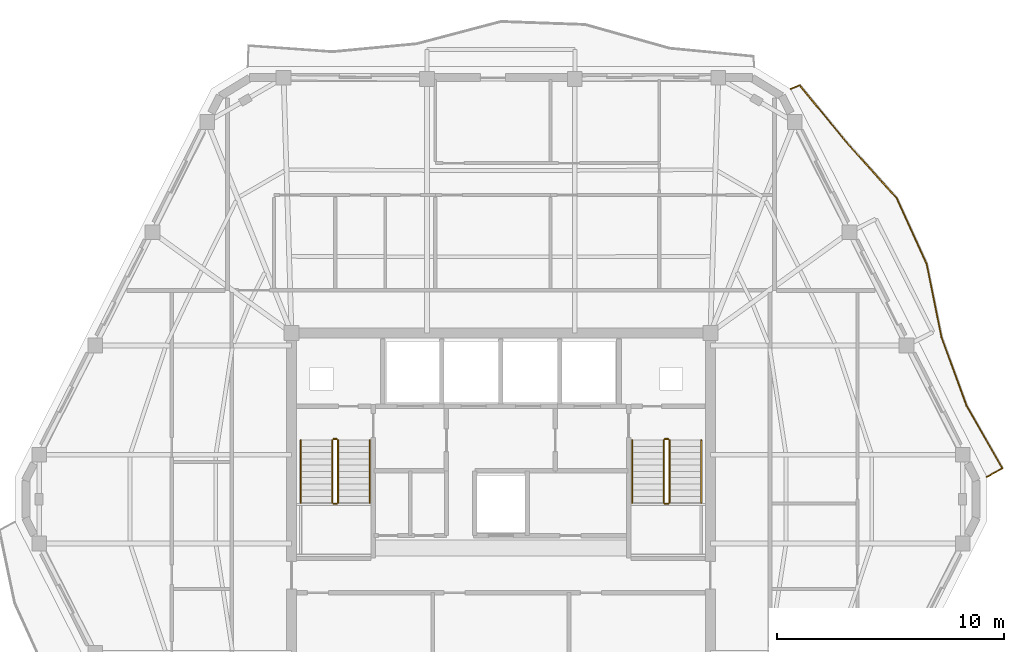
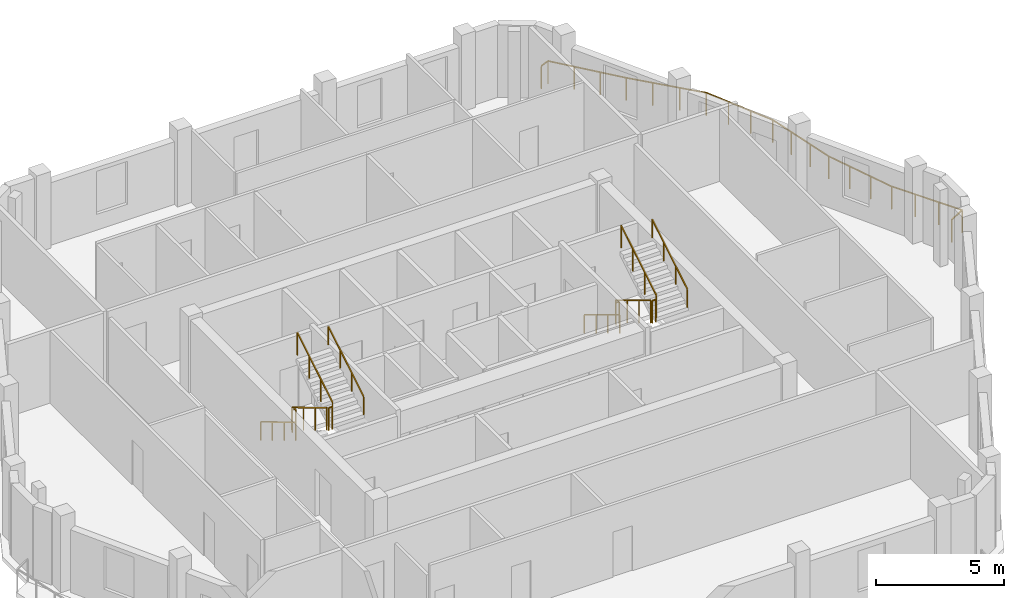
# One storey, part 9 of 10: 13 railings.
"""IFC4 building model written with IfcOpenShell, lengths in metres."""

from ifc_helpers import new_model, si_unit, direction, frame, origin, origin_2d, place, context, subcontext, project, spatial, rectangle, extrude, material, type_object, element, save


model = new_model("IFC4")

# Units and contexts
model_context = context("Model", 3, precision=1e-05, world=origin(), true_north=direction((0.0, 1.0)))
body_context = subcontext(model_context, "Body", "Model", "MODEL_VIEW")
ifc_project = project(units=[si_unit("LENGTHUNIT", "METRE"), si_unit("AREAUNIT", "SQUARE_METRE"), si_unit("VOLUMEUNIT", "CUBIC_METRE"), si_unit("PLANEANGLEUNIT", "RADIAN"), si_unit("MASSUNIT", "GRAM", prefix="KILO")], contexts=[model_context])

# Site, building, storey
site_placement = place(None, origin())
site = spatial("IfcSite", under=ifc_project, at=site_placement, CompositionType="ELEMENT")
building_placement = place(site_placement, origin())
building = spatial("IfcBuilding", under=site, at=building_placement, Name="Cinnabar Lancet Tower", CompositionType="ELEMENT")
storey_placement = place(building_placement, frame((0.0, 0.0, 263.5)))
storey = spatial("IfcBuildingStorey", under=building, at=storey_placement, Name="L70", CompositionType="ELEMENT", Elevation=263.5)

# Railings
ifc_material_1 = material(Name="Laminated safety glass and bronze stainless steel balustrade", Category="steel")
railing_type_1 = type_object("IfcRailingType", Name="ENV-RLG-BAL-1100", PredefinedType="BALUSTRADE", material=ifc_material_1)
railing_1_placement = place(storey_placement, frame((53.802978515625, 26.781982421875, 0.0)))
element("IfcRailing", 1, at=railing_1_placement, inside=storey, type_object=railing_type_1, Name="L70 Face 3 Wave Balcony Balustrade", PredefinedType="BALUSTRADE", context=body_context, shape_type="SweptSolid", body=[
    extrude(rectangle(XDim=0.048095703125, YDim=0.048095703125, at=origin_2d()), frame((0.0, 0.0, 1.076171875), z_axis=(0.875595888351, 0.483044346104, 0.0), x_axis=(-0.483044346104, 0.875595888351, 0.0)), (0.0, 0.0, 1.0), 0.782470703125),
    extrude(rectangle(XDim=0.048095703125, YDim=0.048095703125, at=origin_2d()), frame((0.68505859375, 0.3779296875, 1.076171875), z_axis=(-0.49683193542, 0.867846776768, 0.0), x_axis=(-0.867846776768, -0.49683193542, 0.0)), (0.0, 0.0, 1.0), 3.186279296875),
    extrude(rectangle(XDim=0.048095703125, YDim=0.048095703125, at=origin_2d()), frame((-0.89794921875, 3.14306640625, 1.076171875), z_axis=(-0.343737278906, 0.939065856631, 0.0), x_axis=(-0.939065856631, -0.343737278906, 0.0)), (0.0, 0.0, 1.0), 3.203125),
    extrude(rectangle(XDim=0.048095703125, YDim=0.048095703125, at=origin_2d()), frame((-1.9990234375, 6.151123046875, 1.076171875), z_axis=(-0.198293480616, 0.980142691421, 0.0), x_axis=(-0.980142691421, -0.198293480616, 0.0)), (0.0, 0.0, 1.0), 3.29833984375),
    extrude(rectangle(XDim=0.048095703125, YDim=0.048095703125, at=origin_2d()), frame((-2.653076171875, 9.384033203125, 1.076171875), z_axis=(-0.415275793861, 0.909695561731, 0.0), x_axis=(-0.909695561731, -0.415275793861, 0.0)), (0.0, 0.0, 1.0), 3.18359375),
    extrude(rectangle(XDim=0.048095703125, YDim=0.048095703125, at=origin_2d()), frame((-3.97509765625, 12.280029296875, 1.076171875), z_axis=(-0.668469318488, 0.743739719418, 0.0), x_axis=(-0.743739719418, -0.668469318488, 0.0)), (0.0, 0.0, 1.0), 3.29541015625),
    extrude(rectangle(XDim=0.048095703125, YDim=0.048095703125, at=origin_2d()), frame((-6.177978515625, 14.73095703125, 1.076171875), z_axis=(-0.634717063609, 0.772744620922, 0.0), x_axis=(-0.772744620922, -0.634717063609, 0.0)), (0.0, 0.0, 1.0), 3.259765625),
    extrude(rectangle(XDim=0.048095703125, YDim=0.048095703125, at=origin_2d()), frame((-8.2470703125, 17.25, 1.076171875), z_axis=(-0.923515379999, -0.383561393918, 0.0), x_axis=(0.383561393918, -0.923515379999, 0.0)), (0.0, 0.0, 1.0), 0.427734375),
    extrude(rectangle(XDim=0.0419921875, YDim=0.0419921875, at=origin_2d()), origin(), (0.0, 0.0, 1.0), 1.052001953125),
    extrude(rectangle(XDim=0.0419921875, YDim=0.0419921875, at=origin_2d()), frame((0.68505859375, 0.3779296875, 0.0)), (0.0, 0.0, 1.0), 1.052001953125),
    extrude(rectangle(XDim=0.0419921875, YDim=0.0419921875, at=origin_2d()), frame((0.157470703125, 1.299560546875, 0.0)), (0.0, 0.0, 1.0), 1.052001953125),
    extrude(rectangle(XDim=0.0419921875, YDim=0.0419921875, at=origin_2d()), frame((-0.370361328125, 2.221435546875, 0.0)), (0.0, 0.0, 1.0), 1.052001953125),
    extrude(rectangle(XDim=0.0419921875, YDim=0.0419921875, at=origin_2d()), frame((-0.89794921875, 3.14306640625, 0.0)), (0.0, 0.0, 1.0), 1.052001953125),
    extrude(rectangle(XDim=0.0419921875, YDim=0.0419921875, at=origin_2d()), frame((-1.264892578125, 4.145751953125, 0.0)), (0.0, 0.0, 1.0), 1.052001953125),
    extrude(rectangle(XDim=0.0419921875, YDim=0.0419921875, at=origin_2d()), frame((-1.632080078125, 5.1484375, 0.0)), (0.0, 0.0, 1.0), 1.052001953125),
    extrude(rectangle(XDim=0.0419921875, YDim=0.0419921875, at=origin_2d()), frame((-1.9990234375, 6.151123046875, 0.0)), (0.0, 0.0, 1.0), 1.052001953125),
    extrude(rectangle(XDim=0.0419921875, YDim=0.0419921875, at=origin_2d()), frame((-2.217041015625, 7.228759765625, 0.0)), (0.0, 0.0, 1.0), 1.052001953125),
    extrude(rectangle(XDim=0.0419921875, YDim=0.0419921875, at=origin_2d()), frame((-2.43505859375, 8.306396484375, 0.0)), (0.0, 0.0, 1.0), 1.052001953125),
    extrude(rectangle(XDim=0.0419921875, YDim=0.0419921875, at=origin_2d()), frame((-2.653076171875, 9.384033203125, 0.0)), (0.0, 0.0, 1.0), 1.052001953125),
    extrude(rectangle(XDim=0.0419921875, YDim=0.0419921875, at=origin_2d()), frame((-3.09375, 10.349365234375, 0.0)), (0.0, 0.0, 1.0), 1.052001953125),
    extrude(rectangle(XDim=0.0419921875, YDim=0.0419921875, at=origin_2d()), frame((-3.534423828125, 11.314697265625, 0.0)), (0.0, 0.0, 1.0), 1.052001953125),
    extrude(rectangle(XDim=0.0419921875, YDim=0.0419921875, at=origin_2d()), frame((-3.97509765625, 12.280029296875, 0.0)), (0.0, 0.0, 1.0), 1.052001953125),
    extrude(rectangle(XDim=0.0419921875, YDim=0.0419921875, at=origin_2d()), frame((-4.70947265625, 13.096923828125, 0.0)), (0.0, 0.0, 1.0), 1.052001953125),
    extrude(rectangle(XDim=0.0419921875, YDim=0.0419921875, at=origin_2d()), frame((-5.443603515625, 13.9140625, 0.0)), (0.0, 0.0, 1.0), 1.052001953125),
    extrude(rectangle(XDim=0.0419921875, YDim=0.0419921875, at=origin_2d()), frame((-6.177978515625, 14.73095703125, 0.0)), (0.0, 0.0, 1.0), 1.052001953125),
    extrude(rectangle(XDim=0.0419921875, YDim=0.0419921875, at=origin_2d()), frame((-6.86767578125, 15.570556640625, 0.0)), (0.0, 0.0, 1.0), 1.052001953125),
    extrude(rectangle(XDim=0.0419921875, YDim=0.0419921875, at=origin_2d()), frame((-7.557373046875, 16.410400390625, 0.0)), (0.0, 0.0, 1.0), 1.052001953125),
    extrude(rectangle(XDim=0.0419921875, YDim=0.0419921875, at=origin_2d()), frame((-8.2470703125, 17.25, 0.0)), (0.0, 0.0, 1.0), 1.052001953125),
    extrude(rectangle(XDim=0.0419921875, YDim=0.0419921875, at=origin_2d()), frame((-8.64208984375, 17.0859375, 0.0)), (0.0, 0.0, 1.0), 1.052001953125),
])
ifc_material_2 = material(Name="Painted galvanized steel balustrade", Category="steel")
railing_type_2 = type_object("IfcRailingType", Name="GUARD-STAIR", PredefinedType="GUARDRAIL", material=ifc_material_2)
railing_2_placement = place(storey_placement, frame((24.97509765625, 28.39990234375, 0.166015625)))
element("IfcRailing", 2, at=railing_2_placement, inside=storey, type_object=railing_type_2, Name="L70 ST-1 stair guard 1", PredefinedType="GUARDRAIL", context=body_context, shape_type="SweptSolid", body=[
    extrude(rectangle(XDim=0.048095703125, YDim=0.048095703125, at=origin_2d()), frame((0.0, 0.0, 1.076171875), z_axis=(0.0, -0.856263023582, 0.516540060834), x_axis=(1.0, 0.0, 0.0)), (0.0, 0.0, 1.0), 3.211669921875),
    extrude(rectangle(XDim=0.0419921875, YDim=0.0419921875, at=origin_2d()), origin(), (0.0, 0.0, 1.0), 1.052001953125),
    extrude(rectangle(XDim=0.0419921875, YDim=0.0419921875, at=origin_2d()), frame((0.0, -0.916748046875, 0.552978515625)), (0.0, 0.0, 1.0), 1.052001953125),
    extrude(rectangle(XDim=0.0419921875, YDim=0.0419921875, at=origin_2d()), frame((0.0, -1.833251953125, 1.10595703125)), (0.0, 0.0, 1.0), 1.052001953125),
    extrude(rectangle(XDim=0.0419921875, YDim=0.0419921875, at=origin_2d()), frame((0.0, -2.75, 1.658935546875)), (0.0, 0.0, 1.0), 1.052001953125),
])
railing_3_placement = place(storey_placement, frame((25.02490234375, 25.60009765625, 1.824951171875)))
element("IfcRailing", 3, at=railing_3_placement, inside=storey, type_object=railing_type_2, Name="L70 ST-1 stair guard 2", PredefinedType="GUARDRAIL", context=body_context, shape_type="SweptSolid", body=[
    extrude(rectangle(XDim=0.048095703125, YDim=0.048095703125, at=origin_2d()), frame((0.0, 0.0, 1.076171875), z_axis=(1.0, 0.0, 0.0), x_axis=(0.0, 1.0, 0.0)), (0.0, 0.0, 1.0), 0.150146484375),
    extrude(rectangle(XDim=0.0419921875, YDim=0.0419921875, at=origin_2d()), origin(), (0.0, 0.0, 1.0), 1.052001953125),
    extrude(rectangle(XDim=0.0419921875, YDim=0.0419921875, at=origin_2d()), frame((0.150146484375, 0.0, 0.0)), (0.0, 0.0, 1.0), 1.052001953125),
])
railing_4_placement = place(storey_placement, frame((25.22509765625, 25.64990234375, 1.990966796875)))
element("IfcRailing", 4, at=railing_4_placement, inside=storey, type_object=railing_type_2, Name="L70 ST-1 stair guard 3", PredefinedType="GUARDRAIL", context=body_context, shape_type="SweptSolid", body=[
    extrude(rectangle(XDim=0.048095703125, YDim=0.048095703125, at=origin_2d()), frame((0.0, 0.0, 1.076171875), z_axis=(0.0, 0.856263023582, 0.516540060834), x_axis=(-1.0, 0.0, 0.0)), (0.0, 0.0, 1.0), 3.211669921875),
    extrude(rectangle(XDim=0.0419921875, YDim=0.0419921875, at=origin_2d()), origin(), (0.0, 0.0, 1.0), 1.052001953125),
    extrude(rectangle(XDim=0.0419921875, YDim=0.0419921875, at=origin_2d()), frame((0.0, 0.916748046875, 0.552978515625)), (0.0, 0.0, 1.0), 1.052001953125),
    extrude(rectangle(XDim=0.0419921875, YDim=0.0419921875, at=origin_2d()), frame((0.0, 1.833251953125, 1.10595703125)), (0.0, 0.0, 1.0), 1.052001953125),
    extrude(rectangle(XDim=0.0419921875, YDim=0.0419921875, at=origin_2d()), frame((0.0, 2.75, 1.658935546875)), (0.0, 0.0, 1.0), 1.052001953125),
])
railing_5_placement = place(storey_placement, frame((25.02490234375, 28.449951171875, 0.0)))
element("IfcRailing", 5, at=railing_5_placement, inside=storey, type_object=railing_type_2, Name="L70 ST-1 stair guard 4", PredefinedType="GUARDRAIL", context=body_context, shape_type="SweptSolid", body=[
    extrude(rectangle(XDim=0.048095703125, YDim=0.048095703125, at=origin_2d()), frame((0.0, 0.0, 1.076171875), z_axis=(1.0, 0.0, 0.0), x_axis=(0.0, 1.0, 0.0)), (0.0, 0.0, 1.0), 0.150146484375),
    extrude(rectangle(XDim=0.0419921875, YDim=0.0419921875, at=origin_2d()), origin(), (0.0, 0.0, 1.0), 1.052001953125),
    extrude(rectangle(XDim=0.0419921875, YDim=0.0419921875, at=origin_2d()), frame((0.150146484375, 0.0, 0.0)), (0.0, 0.0, 1.0), 1.052001953125),
])
railing_6_placement = place(storey_placement, frame((39.574951171875, 28.39990234375, 0.166015625)))
element("IfcRailing", 6, at=railing_6_placement, inside=storey, type_object=railing_type_2, Name="L70 ST-2 stair guard 1", PredefinedType="GUARDRAIL", context=body_context, shape_type="SweptSolid", body=[
    extrude(rectangle(XDim=0.048095703125, YDim=0.048095703125, at=origin_2d()), frame((0.0, 0.0, 1.076171875), z_axis=(0.0, -0.856263023582, 0.516540060834), x_axis=(1.0, 0.0, 0.0)), (0.0, 0.0, 1.0), 3.211669921875),
    extrude(rectangle(XDim=0.0419921875, YDim=0.0419921875, at=origin_2d()), origin(), (0.0, 0.0, 1.0), 1.052001953125),
    extrude(rectangle(XDim=0.0419921875, YDim=0.0419921875, at=origin_2d()), frame((0.0, -0.916748046875, 0.552978515625)), (0.0, 0.0, 1.0), 1.052001953125),
    extrude(rectangle(XDim=0.0419921875, YDim=0.0419921875, at=origin_2d()), frame((0.0, -1.833251953125, 1.10595703125)), (0.0, 0.0, 1.0), 1.052001953125),
    extrude(rectangle(XDim=0.0419921875, YDim=0.0419921875, at=origin_2d()), frame((0.0, -2.75, 1.658935546875)), (0.0, 0.0, 1.0), 1.052001953125),
])
railing_7_placement = place(storey_placement, frame((39.625, 25.60009765625, 1.824951171875)))
element("IfcRailing", 7, at=railing_7_placement, inside=storey, type_object=railing_type_2, Name="L70 ST-2 stair guard 2", PredefinedType="GUARDRAIL", context=body_context, shape_type="SweptSolid", body=[
    extrude(rectangle(XDim=0.048095703125, YDim=0.048095703125, at=origin_2d()), frame((0.0, 0.0, 1.076171875), z_axis=(1.0, 0.0, 0.0), x_axis=(0.0, 1.0, 0.0)), (0.0, 0.0, 1.0), 0.14990234375),
    extrude(rectangle(XDim=0.0419921875, YDim=0.0419921875, at=origin_2d()), origin(), (0.0, 0.0, 1.0), 1.052001953125),
    extrude(rectangle(XDim=0.0419921875, YDim=0.0419921875, at=origin_2d()), frame((0.14990234375, 0.0, 0.0)), (0.0, 0.0, 1.0), 1.052001953125),
])
railing_8_placement = place(storey_placement, frame((39.824951171875, 25.64990234375, 1.990966796875)))
element("IfcRailing", 8, at=railing_8_placement, inside=storey, type_object=railing_type_2, Name="L70 ST-2 stair guard 3", PredefinedType="GUARDRAIL", context=body_context, shape_type="SweptSolid", body=[
    extrude(rectangle(XDim=0.048095703125, YDim=0.048095703125, at=origin_2d()), frame((0.0, 0.0, 1.076171875), z_axis=(0.0, 0.856263023582, 0.516540060834), x_axis=(-1.0, 0.0, 0.0)), (0.0, 0.0, 1.0), 3.211669921875),
    extrude(rectangle(XDim=0.0419921875, YDim=0.0419921875, at=origin_2d()), origin(), (0.0, 0.0, 1.0), 1.052001953125),
    extrude(rectangle(XDim=0.0419921875, YDim=0.0419921875, at=origin_2d()), frame((0.0, 0.916748046875, 0.552978515625)), (0.0, 0.0, 1.0), 1.052001953125),
    extrude(rectangle(XDim=0.0419921875, YDim=0.0419921875, at=origin_2d()), frame((0.0, 1.833251953125, 1.10595703125)), (0.0, 0.0, 1.0), 1.052001953125),
    extrude(rectangle(XDim=0.0419921875, YDim=0.0419921875, at=origin_2d()), frame((0.0, 2.75, 1.658935546875)), (0.0, 0.0, 1.0), 1.052001953125),
])
railing_9_placement = place(storey_placement, frame((39.625, 28.449951171875, 0.0)))
element("IfcRailing", 9, at=railing_9_placement, inside=storey, type_object=railing_type_2, Name="L70 ST-2 stair guard 4", PredefinedType="GUARDRAIL", context=body_context, shape_type="SweptSolid", body=[
    extrude(rectangle(XDim=0.048095703125, YDim=0.048095703125, at=origin_2d()), frame((0.0, 0.0, 1.076171875), z_axis=(1.0, 0.0, 0.0), x_axis=(0.0, 1.0, 0.0)), (0.0, 0.0, 1.0), 0.14990234375),
    extrude(rectangle(XDim=0.0419921875, YDim=0.0419921875, at=origin_2d()), origin(), (0.0, 0.0, 1.0), 1.052001953125),
    extrude(rectangle(XDim=0.0419921875, YDim=0.0419921875, at=origin_2d()), frame((0.14990234375, 0.0, 0.0)), (0.0, 0.0, 1.0), 1.052001953125),
])
ifc_material_3 = material(Name="Brushed stainless steel handrail", Category="steel")
railing_type_3 = type_object("IfcRailingType", Name="HANDRAIL-STAIR", PredefinedType="HANDRAIL", material=ifc_material_3)
railing_10_placement = place(storey_placement, frame((23.574951171875, 28.39990234375, 0.166015625)))
element("IfcRailing", 10, at=railing_10_placement, inside=storey, type_object=railing_type_3, Name="L70 ST-1 stair handrail 1", PredefinedType="HANDRAIL", context=body_context, shape_type="SweptSolid", body=[
    extrude(rectangle(XDim=0.048095703125, YDim=0.048095703125, at=origin_2d()), frame((0.0, 0.0, 0.8759765625), z_axis=(0.0, -0.856263023582, 0.516540060834), x_axis=(1.0, 0.0, 0.0)), (0.0, 0.0, 1.0), 3.211669921875),
    extrude(rectangle(XDim=0.0419921875, YDim=0.0419921875, at=origin_2d()), origin(), (0.0, 0.0, 1.0), 0.851806640625),
    extrude(rectangle(XDim=0.0419921875, YDim=0.0419921875, at=origin_2d()), frame((0.0, -0.916748046875, 0.552978515625)), (0.0, 0.0, 1.0), 0.851806640625),
    extrude(rectangle(XDim=0.0419921875, YDim=0.0419921875, at=origin_2d()), frame((0.0, -1.833251953125, 1.10595703125)), (0.0, 0.0, 1.0), 0.851806640625),
    extrude(rectangle(XDim=0.0419921875, YDim=0.0419921875, at=origin_2d()), frame((0.0, -2.75, 1.658935546875)), (0.0, 0.0, 1.0), 0.851806640625),
])
railing_11_placement = place(storey_placement, frame((26.625, 25.64990234375, 1.990966796875)))
element("IfcRailing", 11, at=railing_11_placement, inside=storey, type_object=railing_type_3, Name="L70 ST-1 stair handrail 2", PredefinedType="HANDRAIL", context=body_context, shape_type="SweptSolid", body=[
    extrude(rectangle(XDim=0.048095703125, YDim=0.048095703125, at=origin_2d()), frame((0.0, 0.0, 0.8759765625), z_axis=(0.0, 0.856263023582, 0.516540060834), x_axis=(-1.0, 0.0, 0.0)), (0.0, 0.0, 1.0), 3.211669921875),
    extrude(rectangle(XDim=0.0419921875, YDim=0.0419921875, at=origin_2d()), origin(), (0.0, 0.0, 1.0), 0.851806640625),
    extrude(rectangle(XDim=0.0419921875, YDim=0.0419921875, at=origin_2d()), frame((0.0, 0.916748046875, 0.552978515625)), (0.0, 0.0, 1.0), 0.851806640625),
    extrude(rectangle(XDim=0.0419921875, YDim=0.0419921875, at=origin_2d()), frame((0.0, 1.833251953125, 1.10595703125)), (0.0, 0.0, 1.0), 0.851806640625),
    extrude(rectangle(XDim=0.0419921875, YDim=0.0419921875, at=origin_2d()), frame((0.0, 2.75, 1.658935546875)), (0.0, 0.0, 1.0), 0.851806640625),
])
railing_12_placement = place(storey_placement, frame((38.175048828125, 28.39990234375, 0.166015625)))
element("IfcRailing", 12, at=railing_12_placement, inside=storey, type_object=railing_type_3, Name="L70 ST-2 stair handrail 1", PredefinedType="HANDRAIL", context=body_context, shape_type="SweptSolid", body=[
    extrude(rectangle(XDim=0.048095703125, YDim=0.048095703125, at=origin_2d()), frame((0.0, 0.0, 0.8759765625), z_axis=(0.0, -0.856263023582, 0.516540060834), x_axis=(1.0, 0.0, 0.0)), (0.0, 0.0, 1.0), 3.211669921875),
    extrude(rectangle(XDim=0.0419921875, YDim=0.0419921875, at=origin_2d()), origin(), (0.0, 0.0, 1.0), 0.851806640625),
    extrude(rectangle(XDim=0.0419921875, YDim=0.0419921875, at=origin_2d()), frame((0.0, -0.916748046875, 0.552978515625)), (0.0, 0.0, 1.0), 0.851806640625),
    extrude(rectangle(XDim=0.0419921875, YDim=0.0419921875, at=origin_2d()), frame((0.0, -1.833251953125, 1.10595703125)), (0.0, 0.0, 1.0), 0.851806640625),
    extrude(rectangle(XDim=0.0419921875, YDim=0.0419921875, at=origin_2d()), frame((0.0, -2.75, 1.658935546875)), (0.0, 0.0, 1.0), 0.851806640625),
])
railing_13_placement = place(storey_placement, frame((41.22509765625, 25.64990234375, 1.990966796875)))
element("IfcRailing", 13, at=railing_13_placement, inside=storey, type_object=railing_type_3, Name="L70 ST-2 stair handrail 2", PredefinedType="HANDRAIL", context=body_context, shape_type="SweptSolid", body=[
    extrude(rectangle(XDim=0.048095703125, YDim=0.048095703125, at=origin_2d()), frame((0.0, 0.0, 0.8759765625), z_axis=(0.0, 0.856263023582, 0.516540060834), x_axis=(-1.0, 0.0, 0.0)), (0.0, 0.0, 1.0), 3.211669921875),
    extrude(rectangle(XDim=0.0419921875, YDim=0.0419921875, at=origin_2d()), origin(), (0.0, 0.0, 1.0), 0.851806640625),
    extrude(rectangle(XDim=0.0419921875, YDim=0.0419921875, at=origin_2d()), frame((0.0, 0.916748046875, 0.552978515625)), (0.0, 0.0, 1.0), 0.851806640625),
    extrude(rectangle(XDim=0.0419921875, YDim=0.0419921875, at=origin_2d()), frame((0.0, 1.833251953125, 1.10595703125)), (0.0, 0.0, 1.0), 0.851806640625),
    extrude(rectangle(XDim=0.0419921875, YDim=0.0419921875, at=origin_2d()), frame((0.0, 2.75, 1.658935546875)), (0.0, 0.0, 1.0), 0.851806640625),
])

save(model, "model.ifc")
